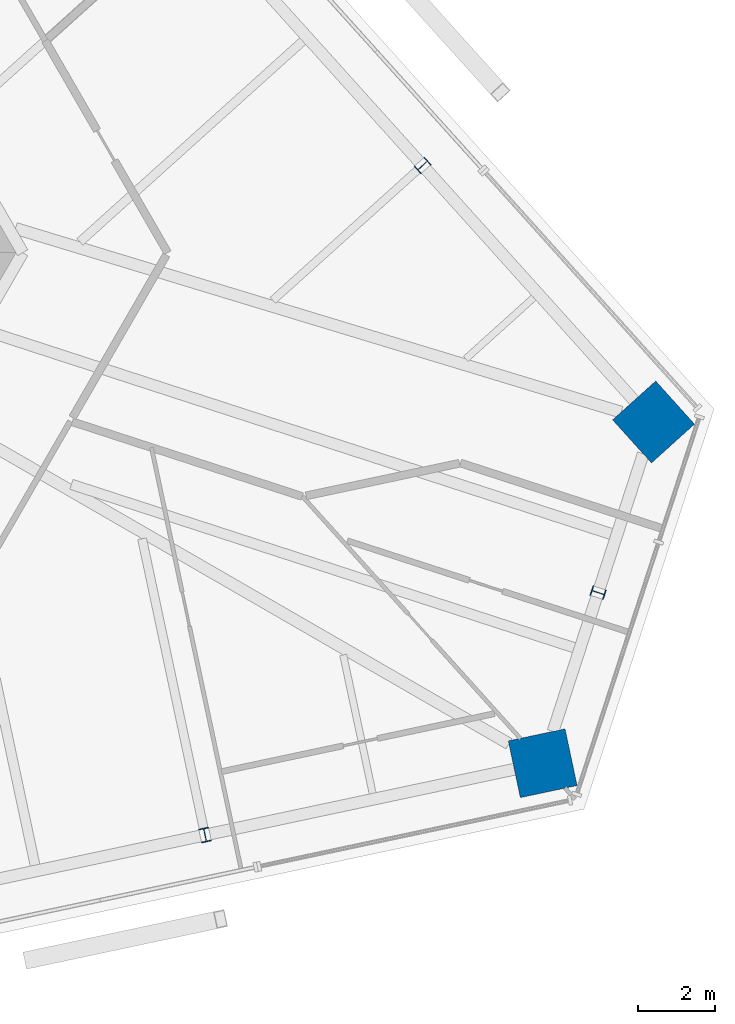
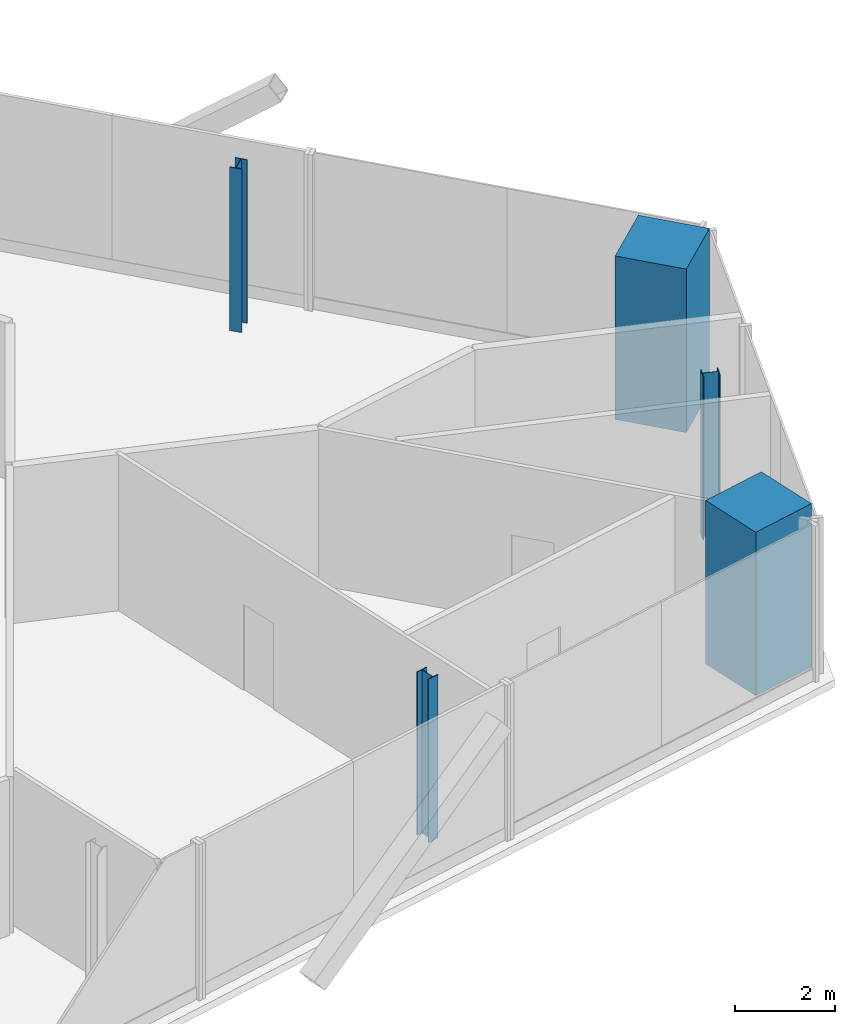
# One storey, part 2 of 14: 5 columns.
"""IFC4 building model written with IfcOpenShell, lengths in metres."""

import ifcopenshell
import ifcopenshell.guid

model = None  # the IFC model being written
_history = None  # IfcOwnerHistory: only IFC2X3 demands one
_inside = {}  # id of a spatial element -> (the spatial element, [elements in it])
_under = {}  # id of a project, library or spatial element -> (it, [spatial elements below it])
_declared = {}  # id of a project -> (the project, [libraries it declares])
_typed = {}  # id of a type object -> (the type object, [elements of that type])
_made_of = {}  # id of a material, layer set ... -> (it, [elements and type objects made of it])


def new_model(schema):
    """Start an empty IFC model of exactly this schema.

    Asked for "IFC4X3", IfcOpenShell would pick the latest addendum, in which some entities
    have other attributes; the version numbers below select the first issue.
    IFC2X3 requires an IfcOwnerHistory on every rooted entity: one is made here for all.
    """
    global model, _history
    if schema == "IFC4X3":
        model = ifcopenshell.file(schema_version=(4, 3, 0, 0))
    else:
        model = ifcopenshell.file(schema=schema)
    _inside.clear()
    _under.clear()
    _declared.clear()
    _typed.clear()
    _made_of.clear()
    _history = None
    if model.schema == "IFC2X3":
        org = make("IfcOrganization", Name="unknown")
        user = make(
            "IfcPersonAndOrganization",
            ThePerson=make("IfcPerson", FamilyName="unknown"),
            TheOrganization=org,
        )
        app = make(
            "IfcApplication",
            ApplicationDeveloper=org,
            Version="unknown",
            ApplicationFullName="unknown",
            ApplicationIdentifier="unknown",
        )
        _history = make(
            "IfcOwnerHistory",
            OwningUser=user,
            OwningApplication=app,
            ChangeAction="ADDED",
            CreationDate=0,
        )
    return model


def make(cls, **values):
    """One entity of the class cls with the attributes given. An attribute that is None is left unset."""
    return model.create_entity(
        cls, **{name: value for name, value in values.items() if value is not None}
    )


def rooted(cls, **values):
    """An entity with a GlobalId (a new one), such as an element, a storey or a relation."""
    return make(cls, GlobalId=ifcopenshell.guid.new(), OwnerHistory=_history, **values)


def si_unit(unit_type, name, prefix=None):
    """IfcSIUnit, for example si_unit("LENGTHUNIT", "METRE", prefix="MILLI")."""
    return make("IfcSIUnit", UnitType=unit_type, Prefix=prefix, Name=name)


def assignment(units):
    """IfcUnitAssignment: the units of a project."""
    return None if units is None else make("IfcUnitAssignment", Units=units)


def point(xyz):
    """IfcCartesianPoint."""
    return None if xyz is None else make("IfcCartesianPoint", Coordinates=xyz)


def direction(xyz):
    """IfcDirection."""
    return None if xyz is None else make("IfcDirection", DirectionRatios=xyz)


def frame(location, z_axis=None, x_axis=None):
    """IfcAxis2Placement3D, a coordinate frame: its origin and axes. An axis left out is left unset."""
    return make(
        "IfcAxis2Placement3D",
        Location=point(location),
        Axis=direction(z_axis),
        RefDirection=direction(x_axis),
    )


def frame_2d(location, x_axis=None):
    """IfcAxis2Placement2D, a coordinate frame in the plane: its origin and x axis."""
    return make(
        "IfcAxis2Placement2D", Location=point(location), RefDirection=direction(x_axis)
    )


def origin():
    """The frame at (0, 0, 0) with its axes left unset."""
    return frame((0.0, 0.0, 0.0))


def origin_2d():
    """The frame at (0, 0) in the plane with its x axis left unset."""
    return frame_2d((0.0, 0.0))


def place(relative_to, where):
    """IfcLocalPlacement: puts the frame where relative to a parent placement (None: the world)."""
    return make(
        "IfcLocalPlacement", PlacementRelTo=relative_to, RelativePlacement=where
    )


def context(
    kind, dimensions, precision=None, world=None, true_north=None, identifier=None
):
    """IfcGeometricRepresentationContext, for example the 3D "Model" context."""
    return make(
        "IfcGeometricRepresentationContext",
        ContextIdentifier=identifier,
        ContextType=kind,
        CoordinateSpaceDimension=dimensions,
        Precision=precision,
        WorldCoordinateSystem=world,
        TrueNorth=true_north,
    )


def subcontext(parent, identifier, kind, view, scale=None):
    """IfcGeometricRepresentationSubContext, for example "Body" below "Model"."""
    return make(
        "IfcGeometricRepresentationSubContext",
        ContextIdentifier=identifier,
        ContextType=kind,
        ParentContext=parent,
        TargetScale=scale,
        TargetView=view,
    )


def project(units=None, contexts=None):
    """IfcProject with its units and contexts."""
    return rooted(
        "IfcProject",
        Name="project",
        RepresentationContexts=contexts,
        UnitsInContext=assignment(units),
    )


def spatial(cls, under=None, at=None, **own):
    """A site, building, storey or space (cls), placed at a placement, below another one or the project."""
    s = rooted(cls, ObjectPlacement=at, **own)
    if under is not None:
        _under.setdefault(under.id(), (under, []))[1].append(s)
    return s


def profile(cls, at=None, kind="AREA", **sizes):
    """A parametric profile (cls). Its sizes go by their IFC names, for example OverallWidth=200.0."""
    return make(cls, ProfileType=kind, Position=at, **sizes)


def rectangle(**sizes):
    """IfcRectangleProfileDef."""
    return profile("IfcRectangleProfileDef", **sizes)


def i_section(**sizes):
    """IfcIShapeProfileDef."""
    return profile("IfcIShapeProfileDef", **sizes)


def extrude(swept, where, along, depth):
    """IfcExtrudedAreaSolid: the profile swept, set in the frame where, extruded along a direction by depth."""
    return make(
        "IfcExtrudedAreaSolid",
        SweptArea=swept,
        Position=where,
        ExtrudedDirection=direction(along),
        Depth=depth,
    )


def shape(context_of_items, identifier, shape_type, items):
    """IfcShapeRepresentation: the items that make up one representation, for example the "Body"."""
    return make(
        "IfcShapeRepresentation",
        ContextOfItems=context_of_items,
        RepresentationIdentifier=identifier,
        RepresentationType=shape_type,
        Items=items,
    )


def source(mapping_origin, context_of_items, identifier, shape_type, items):
    """IfcRepresentationMap: a shape defined once, which mapped items show again and again."""
    return make(
        "IfcRepresentationMap",
        MappingOrigin=mapping_origin,
        MappedRepresentation=shape(context_of_items, identifier, shape_type, items),
    )


def transform(
    local_origin,
    x_axis=None,
    y_axis=None,
    z_axis=None,
    scale=None,
    scale2=None,
    scale3=None,
    uniform=True,
):
    """IfcCartesianTransformationOperator3D, or its non-uniform kind. x_axis, y_axis, z_axis: its Axis1, 2, 3."""
    if uniform:
        return make(
            "IfcCartesianTransformationOperator3D",
            Axis1=direction(x_axis),
            Axis2=direction(y_axis),
            LocalOrigin=point(local_origin),
            Scale=scale,
            Axis3=direction(z_axis),
        )
    return make(
        "IfcCartesianTransformationOperator3DnonUniform",
        Axis1=direction(x_axis),
        Axis2=direction(y_axis),
        LocalOrigin=point(local_origin),
        Scale=scale,
        Axis3=direction(z_axis),
        Scale2=scale2,
        Scale3=scale3,
    )


def mapped(mapping_source, mapping_target):
    """IfcMappedItem: shows the shape of a source again, moved by a transform."""
    return make(
        "IfcMappedItem", MappingSource=mapping_source, MappingTarget=mapping_target
    )


def material(Name=None, Category=None):
    """IfcMaterial."""
    return make("IfcMaterial", Name=Name, Category=Category)


def material_profile(
    of_material, cross_section, Name=None, Category=None, Priority=None
):
    """IfcMaterialProfile: a cross section and its material."""
    return make(
        "IfcMaterialProfile",
        Name=Name,
        Material=of_material,
        Profile=cross_section,
        Priority=Priority,
        Category=Category,
    )


def profile_set(profiles, Name=None, composite=None):
    """IfcMaterialProfileSet."""
    return make(
        "IfcMaterialProfileSet",
        Name=Name,
        MaterialProfiles=profiles,
        CompositeProfile=composite,
    )


def made_of(thing, what):
    """Note that an element or type object is made of a material, layer set ...; save() writes the relation."""
    if what is not None:
        _made_of.setdefault(what.id(), (what, []))[1].append(thing)
    return thing


def type_object(cls, material=None, **own):
    """A type object (cls), such as IfcWallType, which elements share."""
    return made_of(rooted(cls, **own), material)


def element(
    cls,
    number,
    at=None,
    inside=None,
    cuts=None,
    type_object=None,
    material=None,
    context=None,
    identifier="Body",
    shape_type=None,
    held_by="IfcProductDefinitionShape",
    body=None,
    shapes=None,
    **own,
):
    """One element of the class cls, such as IfcWall. Its Tag is "e" and its number.

    at: its placement. inside: the storey or other place that contains it. cuts: it is an
    opening in that element (IfcRelVoidsElement). A single representation is given by context,
    identifier, shape_type and body (its items); several are given by shapes. held_by: the class
    of the entity that holds the representations. save() writes the other relations.
    """
    e = rooted(cls, Tag="e%d" % number, ObjectPlacement=at, **own)
    if body is not None:
        shapes = [shape(context, identifier, shape_type, body)]
    if shapes is not None:
        e.Representation = make(held_by, Representations=shapes)
    if inside is not None:
        _inside.setdefault(inside.id(), (inside, []))[1].append(e)
    if cuts is not None:
        rooted(
            "IfcRelVoidsElement", RelatingBuildingElement=cuts, RelatedOpeningElement=e
        )
    if type_object is not None:
        _typed.setdefault(type_object.id(), (type_object, []))[1].append(e)
    return made_of(e, material)


def aggregate(whole, parts):
    """IfcRelAggregates: a whole, such as a stair, and the parts it consists of."""
    return rooted("IfcRelAggregates", RelatingObject=whole, RelatedObjects=parts)


def save(model, path):
    """Write the relations noted so far, then the file.

    IfcRelAggregates (storeys below a building ...), IfcRelContainedInSpatialStructure (elements
    in a storey), IfcRelDefinesByType, IfcRelAssociatesMaterial and IfcRelDeclares: one each for
    every whole, place, type object, material and project.
    """
    for whole, parts in _under.values():
        aggregate(whole, parts)
    for where, things in _inside.values():
        rooted(
            "IfcRelContainedInSpatialStructure",
            RelatedElements=things,
            RelatingStructure=where,
        )
    for kind, things in _typed.values():
        rooted("IfcRelDefinesByType", RelatedObjects=things, RelatingType=kind)
    for what, things in _made_of.values():
        rooted("IfcRelAssociatesMaterial", RelatedObjects=things, RelatingMaterial=what)
    for by, libraries in _declared.values():
        rooted("IfcRelDeclares", RelatingContext=by, RelatedDefinitions=libraries)
    model.write(path)


model = new_model("IFC4")

# Units and contexts
model_context = context("Model", 3, precision=1e-05, world=origin(), true_north=direction((0.0, 1.0)))
body_context = subcontext(model_context, "Body", "Model", "MODEL_VIEW")
ifc_project = project(units=[si_unit("LENGTHUNIT", "METRE"), si_unit("AREAUNIT", "SQUARE_METRE"), si_unit("VOLUMEUNIT", "CUBIC_METRE"), si_unit("PLANEANGLEUNIT", "RADIAN"), si_unit("MASSUNIT", "GRAM", prefix="KILO")], contexts=[model_context])

# Site, building, storey
site_placement = place(None, origin())
site = spatial("IfcSite", under=ifc_project, at=site_placement, CompositionType="ELEMENT")
building_placement = place(site_placement, origin())
building = spatial("IfcBuilding", under=site, at=building_placement, Name="Triune Harvest Tower", CompositionType="ELEMENT")
storey_placement = place(building_placement, frame((0.0, 0.0, 284.699951171875)))
storey = spatial("IfcBuildingStorey", under=building, at=storey_placement, Name="L75", CompositionType="ELEMENT", Elevation=284.699951171875)

# Columns
ifc_material_1 = material(Name="Concrete 70 MPa", Category="concrete")
ifc_material_profile_1 = material_profile(ifc_material_1, rectangle(XDim=1.5, YDim=1.5, at=origin_2d()), Name="Composite 1500x1500")
ifc_profile_set_1 = profile_set([ifc_material_profile_1], Name="Concrete 70 MPa")
column_type_1 = type_object("IfcColumnType", Name="MC-7 Mega column Composite 1500x1500", PredefinedType="COLUMN", material=ifc_profile_set_1)
shared_shape_1 = source(origin(), body_context, "Body", "SweptSolid", [
    extrude(rectangle(XDim=1.5, YDim=1.5, at=origin_2d()), origin(), (0.0, 0.0, 1.0), 4.0),
])
for number, where, z_axis, x_axis, name in (
    (1, (28.4931640625, -4.379150390625, 0.0), (0.0, 0.0, 1.0), (-0.669130606359, 0.743144825477, 0.0), "col/L75/M0"),
    (2, (25.62548828125, -13.205078125, 0.0), (0.0, 0.0, 1.0), (0.978147237858, 0.207913398007, 0.0), "col/L75/M19"),
):
    element("IfcColumn", number, at=place(storey_placement, frame(where, z_axis=z_axis, x_axis=x_axis)), inside=storey, type_object=column_type_1, Name=name, PredefinedType="COLUMN", context=body_context, shape_type="MappedRepresentation", body=[
        mapped(shared_shape_1, transform((0.0, 0.0, 0.0), scale=1.0)),
    ])
ifc_material_2 = material(Name="Steel ASTM A992 Gr 50", Category="steel")
ifc_material_profile_2 = material_profile(ifc_material_2, i_section(OverallWidth=0.256591796875, OverallDepth=0.360595703125, WebThickness=0.011474609375, FlangeThickness=0.02001953125, at=origin_2d()), Name="W14x74")
ifc_profile_set_2 = profile_set([ifc_material_profile_2], Name="Steel ASTM A992 Gr 50")
column_type_2 = type_object("IfcColumnType", Name="PC-7 Perimeter column W14x74", PredefinedType="COLUMN", material=ifc_profile_set_2)
shared_shape_2 = source(origin(), body_context, "Body", "SweptSolid", [
    extrude(i_section(OverallWidth=0.256591796875, OverallDepth=0.360595703125, WebThickness=0.011474609375, FlangeThickness=0.02001953125, at=origin_2d()), origin(), (0.0, 0.0, 1.0), 4.0),
])
for number, where, z_axis, x_axis, name in (
    (3, (22.519287109375, 2.255615234375, 0.0), (0.0, 0.0, 1.0), (-0.669130606359, 0.743144825477, 0.0), "col/L75/P1"),
    (4, (16.892578125, -15.061279296875, 0.0), (0.0, 0.0, 1.0), (0.978147237858, 0.207913398007, 0.0), "col/L75/P18"),
    (5, (27.059326171875, -8.7919921875, 0.0), (0.0, 0.0, 1.0), (0.309016994375, 0.951056516295, 0.0), "col/L75/P20"),
):
    element("IfcColumn", number, at=place(storey_placement, frame(where, z_axis=z_axis, x_axis=x_axis)), inside=storey, type_object=column_type_2, Name=name, PredefinedType="COLUMN", context=body_context, shape_type="MappedRepresentation", body=[
        mapped(shared_shape_2, transform((0.0, 0.0, 0.0), scale=1.0)),
    ])

save(model, "model.ifc")
